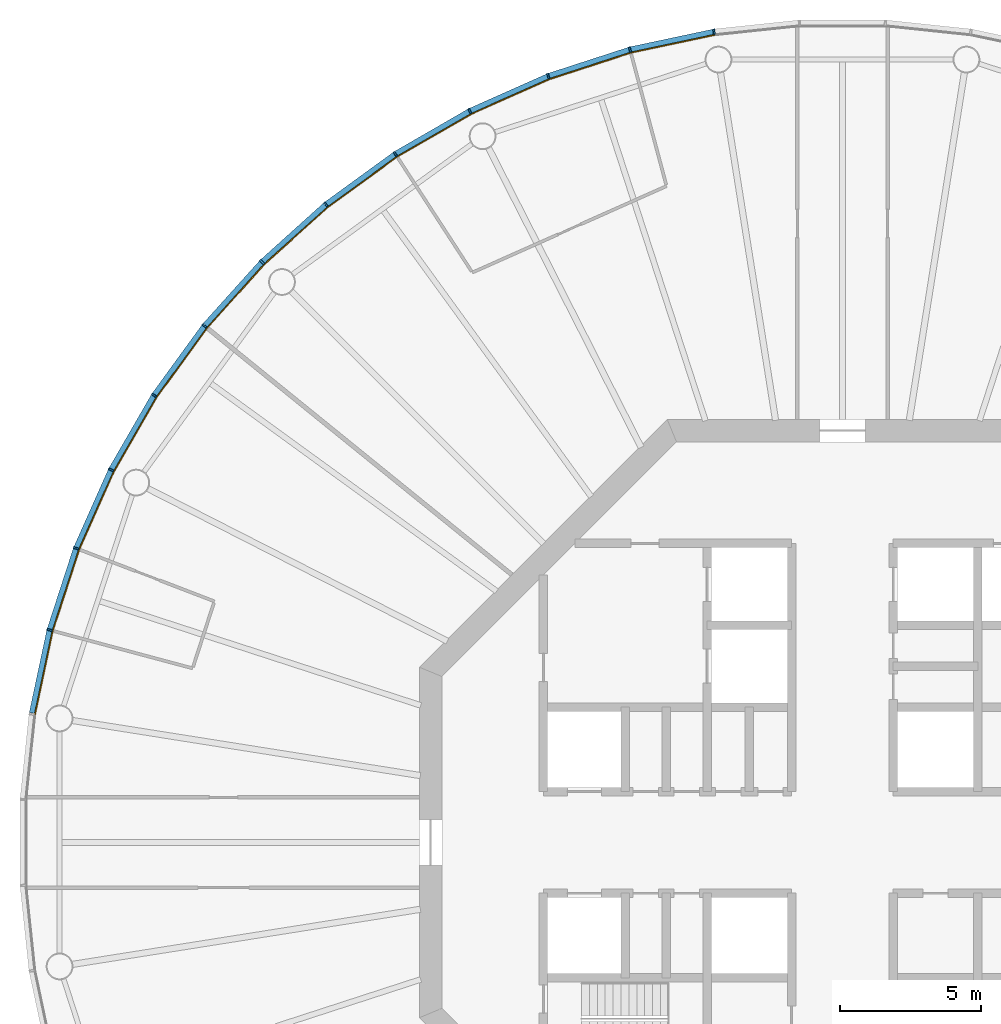
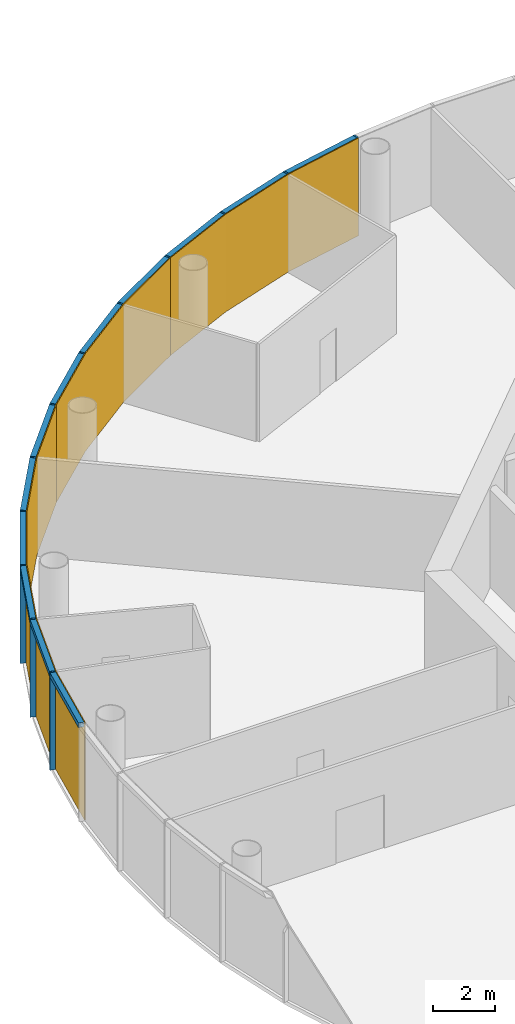
# One storey, part 10 of 13: 24 members, 4 curtain walls.
"""IFC4 building model written with IfcOpenShell, lengths in metres."""

from ifc_helpers import new_model, si_unit, direction, frame, origin, origin_2d, place, context, subcontext, project, spatial, polyline, rectangle, outline, extrude, material, layer, layer_set, material_profile, profile_set, type_object, element, aggregate, save


model = new_model("IFC4")

# Units and contexts
model_context = context("Model", 3, precision=1e-05, world=origin(), true_north=direction((0.0, 1.0)))
body_context = subcontext(model_context, "Body", "Model", "MODEL_VIEW")
ifc_project = project(units=[si_unit("LENGTHUNIT", "METRE"), si_unit("AREAUNIT", "SQUARE_METRE"), si_unit("VOLUMEUNIT", "CUBIC_METRE"), si_unit("PLANEANGLEUNIT", "RADIAN"), si_unit("MASSUNIT", "GRAM", prefix="KILO")], contexts=[model_context])

# Member
ifc_material_1 = material(Name="Anodised aluminium", Category="aluminium")
ifc_material_profile_1 = material_profile(ifc_material_1, rectangle(XDim=0.06494140625, YDim=0.195068359375, at=origin_2d()), Name="Mullion 65 x 195 mm anodised aluminium")
ifc_profile_set_1 = profile_set([ifc_material_profile_1], Name="Anodised aluminium")
member_type_1 = type_object("IfcMemberType", Name="Mullion 65 x 195 mm anodised aluminium", PredefinedType="MULLION", material=ifc_profile_set_1)
site_placement = place(None, origin())
building_placement = place(site_placement, origin())
storey_placement = place(building_placement, frame((0.0, 0.0, 282.0)))
member_1_placement = place(storey_placement, frame((85.4482421875, 108.7392578125, 0.0), z_axis=(0.0, 0.0, 1.0), x_axis=(-0.987688340595, -0.15643446504, 0.0)))
member_1 = element("IfcMember", 1, at=member_1_placement, type_object=member_type_1, Name="MULLION L64-15", PredefinedType="MULLION", context=body_context, shape_type="SweptSolid", body=[
    extrude(rectangle(XDim=0.06494140625, YDim=0.195068359375, at=origin_2d()), origin(), (0.0, 0.0, 1.0), 3.85009765625),
])

member_2_placement = place(storey_placement, frame((82.468994140625, 108.10595703125, 0.0), z_axis=(0.0, 0.0, 1.0), x_axis=(-0.965925826289, -0.258819045103, 0.0)))
member_2 = element("IfcMember", 2, at=member_2_placement, type_object=member_type_1, Name="MULLION L64-16", PredefinedType="MULLION", context=body_context, shape_type="SweptSolid", body=[
    extrude(rectangle(XDim=0.06494140625, YDim=0.195068359375, at=origin_2d()), origin(), (0.0, 0.0, 1.0), 3.85009765625),
])

member_3_placement = place(storey_placement, frame((79.572509765625, 107.164794921875, 0.0), z_axis=(0.0, 0.0, 1.0), x_axis=(-0.933580426497, -0.358367949545, 0.0)))
member_3 = element("IfcMember", 3, at=member_3_placement, type_object=member_type_1, Name="MULLION L64-17", PredefinedType="MULLION", context=body_context, shape_type="SweptSolid", body=[
    extrude(rectangle(XDim=0.06494140625, YDim=0.195068359375, at=origin_2d()), origin(), (0.0, 0.0, 1.0), 3.85009765625),
])

member_4_placement = place(storey_placement, frame((76.7900390625, 105.926025390625, 0.0), z_axis=(0.0, 0.0, 1.0), x_axis=(-0.891006524188, -0.45399049974, 0.0)))
member_4 = element("IfcMember", 4, at=member_4_placement, type_object=member_type_1, Name="MULLION L64-18", PredefinedType="MULLION", context=body_context, shape_type="SweptSolid", body=[
    extrude(rectangle(XDim=0.06494140625, YDim=0.195068359375, at=origin_2d()), origin(), (0.0, 0.0, 1.0), 3.85009765625),
])

member_5_placement = place(storey_placement, frame((74.15234375, 104.4033203125, 0.0), z_axis=(0.0, 0.0, 1.0), x_axis=(-0.838670567945, -0.544639035015, 0.0)))
member_5 = element("IfcMember", 5, at=member_5_placement, type_object=member_type_1, Name="MULLION L64-19", PredefinedType="MULLION", context=body_context, shape_type="SweptSolid", body=[
    extrude(rectangle(XDim=0.06494140625, YDim=0.195068359375, at=origin_2d()), origin(), (0.0, 0.0, 1.0), 3.85009765625),
])

member_6_placement = place(storey_placement, frame((71.688232421875, 102.613037109375, 0.0), z_axis=(0.0, 0.0, 1.0), x_axis=(-0.777145961457, -0.62932039105, 0.0)))
member_6 = element("IfcMember", 6, at=member_6_placement, type_object=member_type_1, Name="MULLION L64-20", PredefinedType="MULLION", context=body_context, shape_type="SweptSolid", body=[
    extrude(rectangle(XDim=0.06494140625, YDim=0.195068359375, at=origin_2d()), origin(), (0.0, 0.0, 1.0), 3.85009765625),
])

member_7_placement = place(storey_placement, frame((69.425048828125, 100.574951171875, 0.0), z_axis=(0.0, 0.0, 1.0), x_axis=(-0.707106781187, -0.707106781187, 0.0)))
member_7 = element("IfcMember", 7, at=member_7_placement, type_object=member_type_1, Name="MULLION L64-21", PredefinedType="MULLION", context=body_context, shape_type="SweptSolid", body=[
    extrude(rectangle(XDim=0.06494140625, YDim=0.195068359375, at=origin_2d()), origin(), (0.0, 0.0, 1.0), 3.85009765625),
])

member_8_placement = place(storey_placement, frame((67.386962890625, 98.311767578125, 0.0), z_axis=(0.0, 0.0, 1.0), x_axis=(-0.62932039105, -0.777145961457, 0.0)))
member_8 = element("IfcMember", 8, at=member_8_placement, type_object=member_type_1, Name="MULLION L64-22", PredefinedType="MULLION", context=body_context, shape_type="SweptSolid", body=[
    extrude(rectangle(XDim=0.06494140625, YDim=0.195068359375, at=origin_2d()), origin(), (0.0, 0.0, 1.0), 3.85009765625),
])

member_9_placement = place(storey_placement, frame((65.5966796875, 95.84765625, 0.0), z_axis=(0.0, 0.0, 1.0), x_axis=(-0.544639035015, -0.838670567945, 0.0)))
member_9 = element("IfcMember", 9, at=member_9_placement, type_object=member_type_1, Name="MULLION L64-23", PredefinedType="MULLION", context=body_context, shape_type="SweptSolid", body=[
    extrude(rectangle(XDim=0.06494140625, YDim=0.195068359375, at=origin_2d()), origin(), (0.0, 0.0, 1.0), 3.85009765625),
])

member_10_placement = place(storey_placement, frame((64.073974609375, 93.2099609375, 0.0), z_axis=(0.0, 0.0, 1.0), x_axis=(-0.45399049974, -0.891006524188, 0.0)))
member_10 = element("IfcMember", 10, at=member_10_placement, type_object=member_type_1, Name="MULLION L64-24", PredefinedType="MULLION", context=body_context, shape_type="SweptSolid", body=[
    extrude(rectangle(XDim=0.06494140625, YDim=0.195068359375, at=origin_2d()), origin(), (0.0, 0.0, 1.0), 3.85009765625),
])

member_11_placement = place(storey_placement, frame((62.835205078125, 90.427490234375, 0.0), z_axis=(0.0, 0.0, 1.0), x_axis=(-0.358367949545, -0.933580426497, 0.0)))
member_11 = element("IfcMember", 11, at=member_11_placement, type_object=member_type_1, Name="MULLION L64-25", PredefinedType="MULLION", context=body_context, shape_type="SweptSolid", body=[
    extrude(rectangle(XDim=0.06494140625, YDim=0.195068359375, at=origin_2d()), origin(), (0.0, 0.0, 1.0), 3.85009765625),
])

member_12_placement = place(storey_placement, frame((61.89404296875, 87.531005859375, 0.0), z_axis=(0.0, 0.0, 1.0), x_axis=(-0.258819045103, -0.965925826289, 0.0)))
member_12 = element("IfcMember", 12, at=member_12_placement, type_object=member_type_1, Name="MULLION L64-26", PredefinedType="MULLION", context=body_context, shape_type="SweptSolid", body=[
    extrude(rectangle(XDim=0.06494140625, YDim=0.195068359375, at=origin_2d()), origin(), (0.0, 0.0, 1.0), 3.85009765625),
])

ifc_material_2 = material(Name="Anodised aluminium", Category="aluminium")
ifc_material_profile_2 = material_profile(ifc_material_2, rectangle(XDim=0.195068359375, YDim=0.179931640625, at=origin_2d()), Name="Transom 180 x 195 mm anodised aluminium")
ifc_profile_set_2 = profile_set([ifc_material_profile_2], Name="Anodised aluminium")
member_type_2 = type_object("IfcMemberType", Name="Transom 180 x 195 mm anodised aluminium", PredefinedType="USERDEFINED", material=ifc_profile_set_2)
member_13_placement = place(storey_placement, frame((85.411376953125, 108.731689453125, 3.760009765625), z_axis=(-0.978141510112, -0.207940342877, 0.0), x_axis=(0.207940342877, -0.978141510112, 0.0)))
member_13 = element("IfcMember", 13, at=member_13_placement, type_object=member_type_2, Name="TRANSOM L64-15", ObjectType="TRANSOM", PredefinedType="USERDEFINED", context=body_context, shape_type="SweptSolid", body=[
    extrude(rectangle(XDim=0.195068359375, YDim=0.179931640625, at=origin_2d()), origin(), (0.0, 0.0, 1.0), 2.970458984375),
])

member_14_placement = place(storey_placement, frame((82.43310546875, 108.094482421875, 3.760009765625), z_axis=(-0.951047960094, -0.309043326415, 0.0), x_axis=(0.309043326415, -0.951047960094, 0.0)))
member_14 = element("IfcMember", 14, at=member_14_placement, type_object=member_type_2, Name="TRANSOM L64-16", ObjectType="TRANSOM", PredefinedType="USERDEFINED", context=body_context, shape_type="SweptSolid", body=[
    extrude(rectangle(XDim=0.195068359375, YDim=0.179931640625, at=origin_2d()), origin(), (0.0, 0.0, 1.0), 2.970458984375),
])

member_15_placement = place(storey_placement, frame((79.5380859375, 107.149658203125, 3.760009765625), z_axis=(-0.913550406593, -0.406725527369, 0.0), x_axis=(0.406725527369, -0.913550406593, 0.0)))
member_15 = element("IfcMember", 15, at=member_15_placement, type_object=member_type_2, Name="TRANSOM L64-17", ObjectType="TRANSOM", PredefinedType="USERDEFINED", context=body_context, shape_type="SweptSolid", body=[
    extrude(rectangle(XDim=0.195068359375, YDim=0.179931640625, at=origin_2d()), origin(), (0.0, 0.0, 1.0), 2.970703125),
])

member_16_placement = place(storey_placement, frame((76.75732421875, 105.907470703125, 3.760009765625), z_axis=(-0.866009025146, -0.500028367561, 0.0), x_axis=(0.500028367561, -0.866009025146, 0.0)))
member_16 = element("IfcMember", 16, at=member_16_placement, type_object=member_type_2, Name="TRANSOM L64-18", ObjectType="TRANSOM", PredefinedType="USERDEFINED", context=body_context, shape_type="SweptSolid", body=[
    extrude(rectangle(XDim=0.195068359375, YDim=0.179931640625, at=origin_2d()), origin(), (0.0, 0.0, 1.0), 2.970458984375),
])

member_17_placement = place(storey_placement, frame((74.121826171875, 104.381103515625, 3.760009765625), z_axis=(-0.809030990733, -0.587765987476, 0.0), x_axis=(0.587765987476, -0.809030990733, 0.0)))
member_17 = element("IfcMember", 17, at=member_17_placement, type_object=member_type_2, Name="TRANSOM L64-19", ObjectType="TRANSOM", PredefinedType="USERDEFINED", context=body_context, shape_type="SweptSolid", body=[
    extrude(rectangle(XDim=0.195068359375, YDim=0.179931640625, at=origin_2d()), origin(), (0.0, 0.0, 1.0), 2.97021484375),
])

member_18_placement = place(storey_placement, frame((71.660400390625, 102.587890625, 3.760009765625), z_axis=(-0.743163354343, -0.669110027395, 0.0), x_axis=(0.669110027395, -0.743163354343, 0.0)))
member_18 = element("IfcMember", 18, at=member_18_placement, type_object=member_type_2, Name="TRANSOM L64-20", ObjectType="TRANSOM", PredefinedType="USERDEFINED", context=body_context, shape_type="SweptSolid", body=[
    extrude(rectangle(XDim=0.195068359375, YDim=0.179931640625, at=origin_2d()), origin(), (0.0, 0.0, 1.0), 2.970458984375),
])

member_19_placement = place(storey_placement, frame((69.399658203125, 100.547119140625, 3.760009765625), z_axis=(-0.669110027395, -0.743163354343, 0.0), x_axis=(0.743163354343, -0.669110027395, 0.0)))
member_19 = element("IfcMember", 19, at=member_19_placement, type_object=member_type_2, Name="TRANSOM L64-21", ObjectType="TRANSOM", PredefinedType="USERDEFINED", context=body_context, shape_type="SweptSolid", body=[
    extrude(rectangle(XDim=0.195068359375, YDim=0.179931640625, at=origin_2d()), origin(), (0.0, 0.0, 1.0), 2.970458984375),
])

member_20_placement = place(storey_placement, frame((67.36474609375, 98.28125, 3.760009765625), z_axis=(-0.587765987476, -0.809030990733, 0.0), x_axis=(0.809030990733, -0.587765987476, 0.0)))
member_20 = element("IfcMember", 20, at=member_20_placement, type_object=member_type_2, Name="TRANSOM L64-22", ObjectType="TRANSOM", PredefinedType="USERDEFINED", context=body_context, shape_type="SweptSolid", body=[
    extrude(rectangle(XDim=0.195068359375, YDim=0.179931640625, at=origin_2d()), origin(), (0.0, 0.0, 1.0), 2.97021484375),
])

member_21_placement = place(storey_placement, frame((65.577880859375, 95.815185546875, 3.760009765625), z_axis=(-0.500028367561, -0.866009025146, 0.0), x_axis=(0.866009025146, -0.500028367561, 0.0)))
member_21 = element("IfcMember", 21, at=member_21_placement, type_object=member_type_2, Name="TRANSOM L64-23", ObjectType="TRANSOM", PredefinedType="USERDEFINED", context=body_context, shape_type="SweptSolid", body=[
    extrude(rectangle(XDim=0.195068359375, YDim=0.179931640625, at=origin_2d()), origin(), (0.0, 0.0, 1.0), 2.970458984375),
])

member_22_placement = place(storey_placement, frame((64.05859375, 93.17578125, 3.760009765625), z_axis=(-0.406725527369, -0.913550406593, 0.0), x_axis=(0.913550406593, -0.406725527369, 0.0)))
member_22 = element("IfcMember", 22, at=member_22_placement, type_object=member_type_2, Name="TRANSOM L64-24", ObjectType="TRANSOM", PredefinedType="USERDEFINED", context=body_context, shape_type="SweptSolid", body=[
    extrude(rectangle(XDim=0.195068359375, YDim=0.179931640625, at=origin_2d()), origin(), (0.0, 0.0, 1.0), 2.970703125),
])

member_23_placement = place(storey_placement, frame((62.823486328125, 90.391845703125, 3.760009765625), z_axis=(-0.309043326415, -0.951047960094, 0.0), x_axis=(0.951047960094, -0.309043326415, 0.0)))
member_23 = element("IfcMember", 23, at=member_23_placement, type_object=member_type_2, Name="TRANSOM L64-25", ObjectType="TRANSOM", PredefinedType="USERDEFINED", context=body_context, shape_type="SweptSolid", body=[
    extrude(rectangle(XDim=0.195068359375, YDim=0.179931640625, at=origin_2d()), origin(), (0.0, 0.0, 1.0), 2.970458984375),
])

member_24_placement = place(storey_placement, frame((61.885986328125, 87.494140625, 3.760009765625), z_axis=(-0.207940342877, -0.978141510112, 0.0), x_axis=(0.978141510112, -0.207940342877, 0.0)))
member_24 = element("IfcMember", 24, at=member_24_placement, type_object=member_type_2, Name="TRANSOM L64-26", ObjectType="TRANSOM", PredefinedType="USERDEFINED", context=body_context, shape_type="SweptSolid", body=[
    extrude(rectangle(XDim=0.195068359375, YDim=0.179931640625, at=origin_2d()), origin(), (0.0, 0.0, 1.0), 2.970458984375),
])

# Site, building, storey
site = spatial("IfcSite", under=ifc_project, at=site_placement, CompositionType="ELEMENT")
building = spatial("IfcBuilding", under=site, at=building_placement, Name="Entoto Ring Tower", CompositionType="ELEMENT")
storey = spatial("IfcBuildingStorey", under=building, at=storey_placement, Name="L64", CompositionType="ELEMENT", Elevation=282.0)

# Curtain wall
ifc_material_3 = material(Name="Clear low-iron glass", Category="glass")
ifc_layer = layer(ifc_material_3, 0.033935546875)
ifc_layer_set = layer_set([ifc_layer], Name="Clear low-iron glass")
curtain_wall_type = type_object("IfcCurtainWallType", Name="Curtain wall system CW5 glazing 34 mm", PredefinedType="NOTDEFINED", material=ifc_layer_set)
curtain_wall_1_placement = place(storey_placement, origin())
curtain_wall_1 = element("IfcCurtainWall", 25, at=curtain_wall_1_placement, inside=storey, type_object=curtain_wall_type, Name="CW5 L64-06", PredefinedType="NOTDEFINED", context=body_context, shape_type="SweptSolid", body=[
    extrude(outline(polyline([(85.46337890625, 108.64306640625), (82.494140625, 108.011962890625), (79.607421875, 107.07373046875), (76.834228515625, 105.839111328125), (76.849853515625, 105.808837890625), (79.61962890625, 107.0419921875), (82.503173828125, 107.97900390625), (85.46875, 108.609375), (85.46337890625, 108.64306640625)])), origin(), (0.0, 0.0, 1.0), 3.85009765625),
])

aggregate(curtain_wall_1, [member_1, member_2, member_3, member_13, member_14, member_15])

curtain_wall_2_placement = place(storey_placement, origin())
curtain_wall_2 = element("IfcCurtainWall", 26, at=curtain_wall_2_placement, inside=storey, type_object=curtain_wall_type, Name="CW5 L64-07", PredefinedType="NOTDEFINED", context=body_context, shape_type="SweptSolid", body=[
    extrude(outline(polyline([(76.834228515625, 105.839111328125), (74.20556640625, 104.321533203125), (71.749755859375, 102.537353515625), (69.493896484375, 100.506103515625), (69.51806640625, 100.48193359375), (71.771240234375, 102.5107421875), (74.22412109375, 104.29296875), (76.849853515625, 105.808837890625), (76.834228515625, 105.839111328125)])), origin(), (0.0, 0.0, 1.0), 3.85009765625),
])

aggregate(curtain_wall_2, [member_4, member_5, member_6, member_16, member_17, member_18])

curtain_wall_3_placement = place(storey_placement, origin())
curtain_wall_3 = element("IfcCurtainWall", 27, at=curtain_wall_3_placement, inside=storey, type_object=curtain_wall_type, Name="CW5 L64-08", PredefinedType="NOTDEFINED", context=body_context, shape_type="SweptSolid", body=[
    extrude(outline(polyline([(69.493896484375, 100.506103515625), (67.462646484375, 98.250244140625), (65.678466796875, 95.79443359375), (64.160888671875, 93.165771484375), (64.191162109375, 93.150146484375), (65.70703125, 95.77587890625), (67.4892578125, 98.228759765625), (69.51806640625, 100.48193359375), (69.493896484375, 100.506103515625)])), origin(), (0.0, 0.0, 1.0), 3.85009765625),
])

aggregate(curtain_wall_3, [member_7, member_8, member_9, member_19, member_20, member_21])

curtain_wall_4_placement = place(storey_placement, origin())
curtain_wall_4 = element("IfcCurtainWall", 28, at=curtain_wall_4_placement, inside=storey, type_object=curtain_wall_type, Name="CW5 L64-09", PredefinedType="NOTDEFINED", context=body_context, shape_type="SweptSolid", body=[
    extrude(outline(polyline([(64.160888671875, 93.165771484375), (62.92626953125, 90.392578125), (61.988037109375, 87.505859375), (61.35693359375, 84.53662109375), (61.390625, 84.53125), (62.02099609375, 87.496826171875), (62.9580078125, 90.38037109375), (64.191162109375, 93.150146484375), (64.160888671875, 93.165771484375)])), origin(), (0.0, 0.0, 1.0), 3.85009765625),
])

aggregate(curtain_wall_4, [member_10, member_11, member_12, member_22, member_23, member_24])

save(model, "model.ifc")
